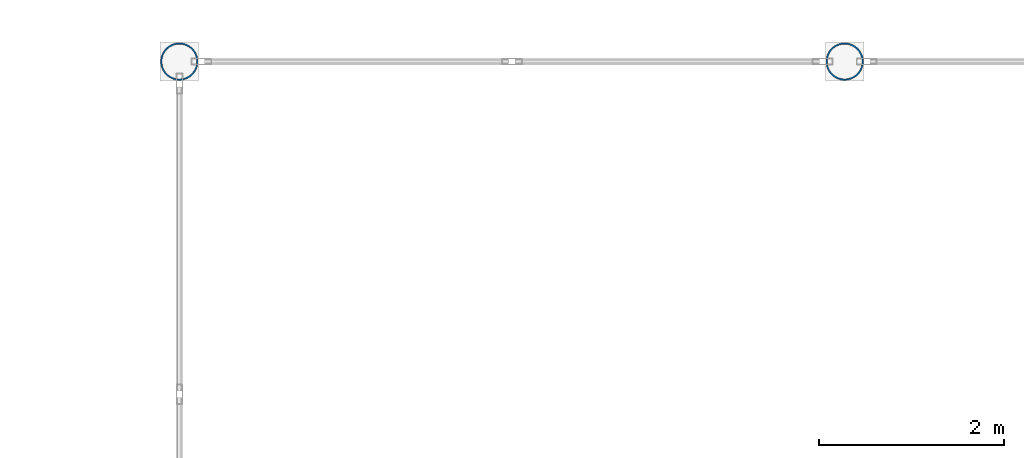
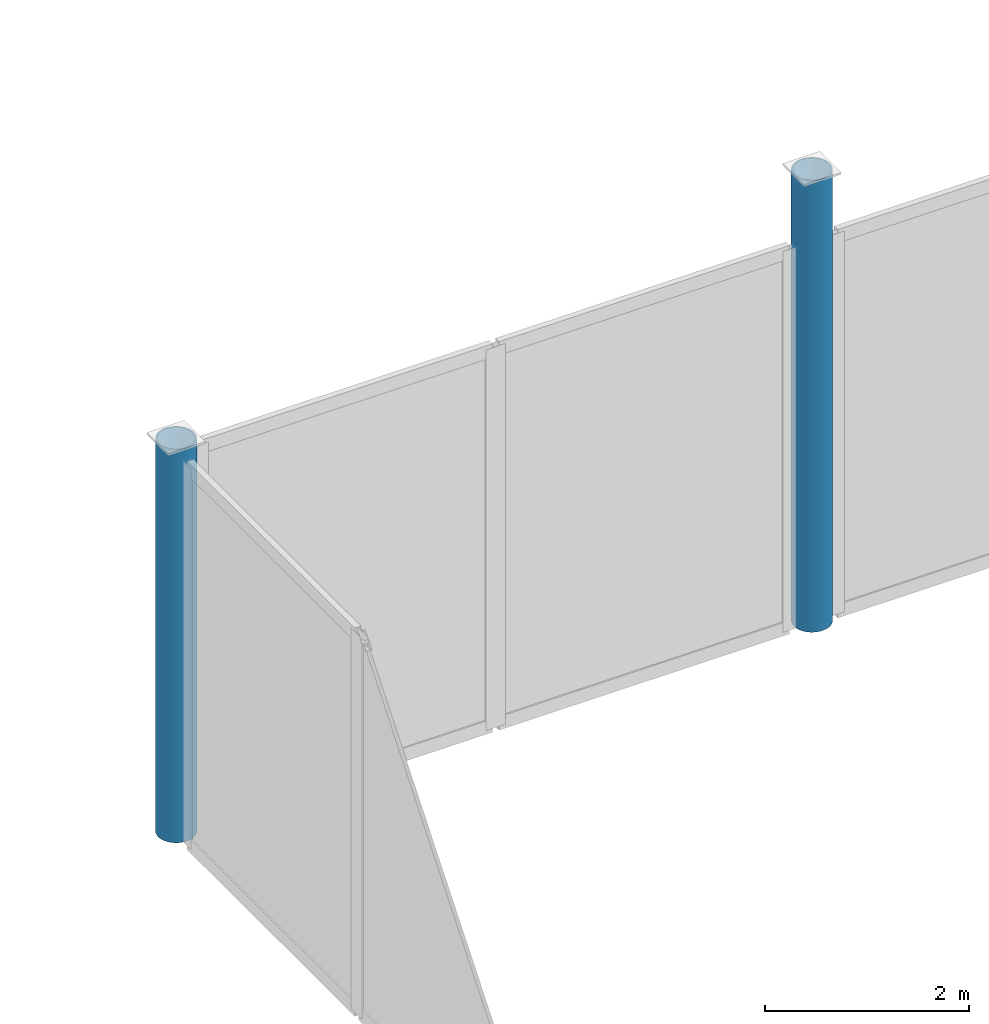
# One storey, part 10 of 120: 2 columns.
"""IFC4 building model written with IfcOpenShell, lengths in metres."""

from ifc_helpers import new_model, si_unit, direction, frame, origin, origin_2d, place, context, subcontext, project, spatial, hollow_circle, extrude, material, material_profile, profile_set, type_object, element, save


model = new_model("IFC4")

# Units and contexts
model_context = context("Model", 3, precision=1e-05, world=origin(), true_north=direction((0.0, 1.0)))
body_context = subcontext(model_context, "Body", "Model", "MODEL_VIEW")
ifc_project = project(units=[si_unit("LENGTHUNIT", "METRE"), si_unit("AREAUNIT", "SQUARE_METRE"), si_unit("VOLUMEUNIT", "CUBIC_METRE"), si_unit("PLANEANGLEUNIT", "RADIAN"), si_unit("MASSUNIT", "GRAM", prefix="KILO")], contexts=[model_context])

# Site, building, storey
site_placement = place(None, origin())
site = spatial("IfcSite", under=ifc_project, at=site_placement, CompositionType="ELEMENT")
building_placement = place(site_placement, origin())
building = spatial("IfcBuilding", under=site, at=building_placement, Name="Vesperath Aquatics Centre", CompositionType="ELEMENT")
storey_placement = place(building_placement, frame((0.0, 0.0, 10.199951171875)))
storey = spatial("IfcBuildingStorey", under=building, at=storey_placement, Name="L02", CompositionType="ELEMENT", Elevation=10.199951171875)

# Columns
ifc_material = material(Name="Steel Q355D", Category="steel")
ifc_material_profile = material_profile(ifc_material, hollow_circle(Radius=0.203125, WallThickness=0.01611328125, at=origin_2d()), Name="CHS 406.4x16")
ifc_profile_set = profile_set([ifc_material_profile], Name="Steel Q355D")
column_type = type_object("IfcColumnType", Name="CL-C14", PredefinedType="COLUMN", material=ifc_profile_set)
column_1_placement = place(storey_placement, frame((115.199951171875, 115.199951171875, 0.0), z_axis=(0.0, 0.0, 1.0), x_axis=(1.0, 0.0, 0.0)))
element("IfcColumn", 1, at=column_1_placement, inside=storey, type_object=column_type, Name="Column C14 L02 17/S", PredefinedType="COLUMN", context=body_context, shape_type="SweptSolid", body=[
    extrude(hollow_circle(Radius=0.203125, WallThickness=0.01611328125, at=origin_2d()), origin(), (0.0, 0.0, 1.0), 4.705078125),
])
column_2_placement = place(storey_placement, frame((122.39990234375, 115.199951171875, 0.0), z_axis=(0.0, 0.0, 1.0), x_axis=(1.0, 0.0, 0.0)))
element("IfcColumn", 2, at=column_2_placement, inside=storey, type_object=column_type, Name="Column C14 L02 18/S", PredefinedType="COLUMN", context=body_context, shape_type="SweptSolid", body=[
    extrude(hollow_circle(Radius=0.203125, WallThickness=0.01611328125, at=origin_2d()), origin(), (0.0, 0.0, 1.0), 5.405029296875),
])

save(model, "model.ifc")
